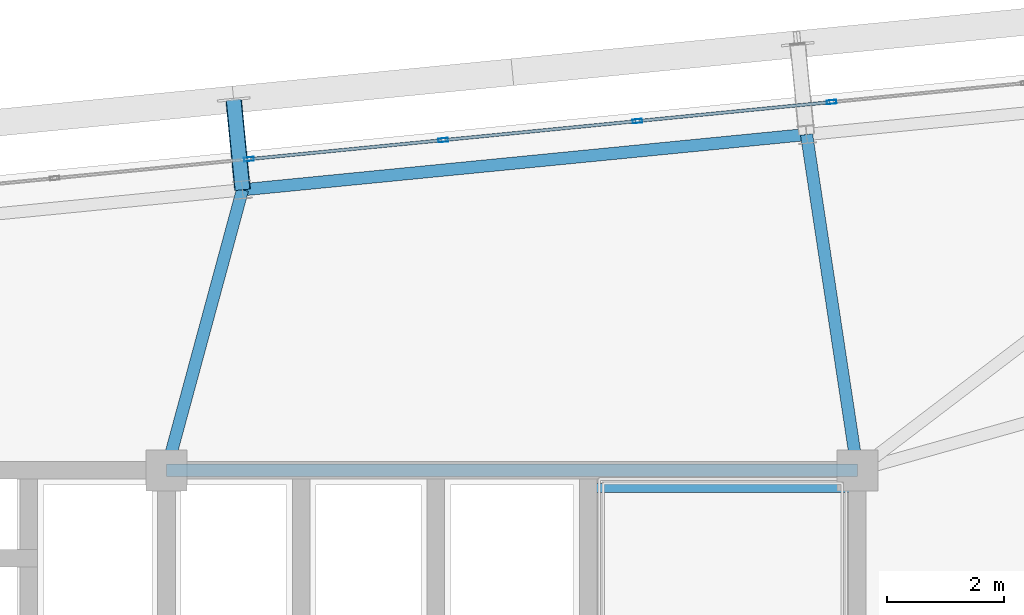
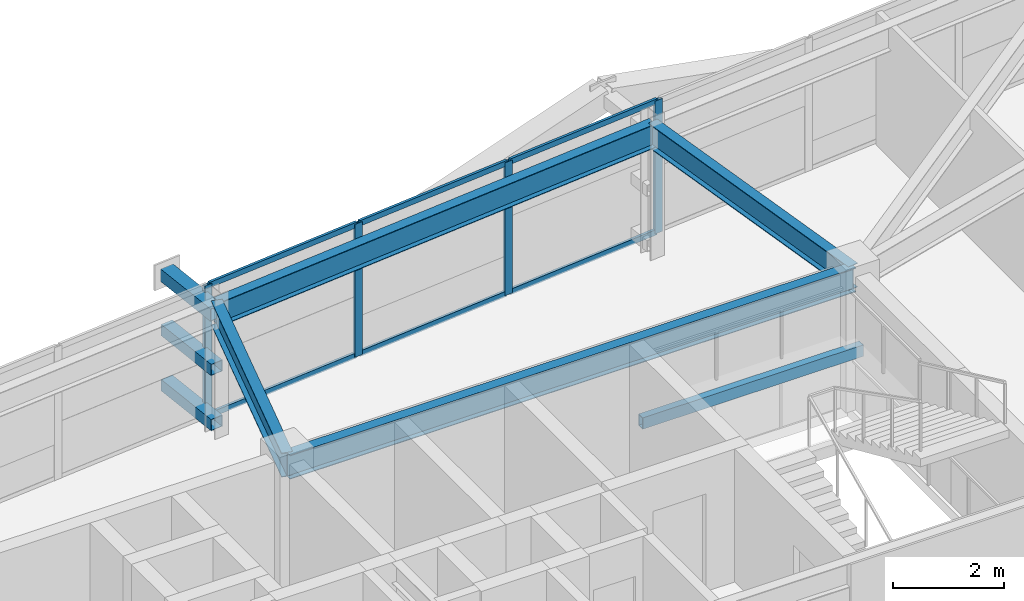
# One storey, part 31 of 53: 13 members, 5 beams, 1 element without a shape of its own.
"""IFC4 building model written with IfcOpenShell, lengths in metres."""

import ifcopenshell
import ifcopenshell.guid

model = None  # the IFC model being written
_history = None  # IfcOwnerHistory: only IFC2X3 demands one
_inside = {}  # id of a spatial element -> (the spatial element, [elements in it])
_under = {}  # id of a project, library or spatial element -> (it, [spatial elements below it])
_declared = {}  # id of a project -> (the project, [libraries it declares])
_typed = {}  # id of a type object -> (the type object, [elements of that type])
_made_of = {}  # id of a material, layer set ... -> (it, [elements and type objects made of it])


def new_model(schema):
    """Start an empty IFC model of exactly this schema.

    Asked for "IFC4X3", IfcOpenShell would pick the latest addendum, in which some entities
    have other attributes; the version numbers below select the first issue.
    IFC2X3 requires an IfcOwnerHistory on every rooted entity: one is made here for all.
    """
    global model, _history
    if schema == "IFC4X3":
        model = ifcopenshell.file(schema_version=(4, 3, 0, 0))
    else:
        model = ifcopenshell.file(schema=schema)
    _inside.clear()
    _under.clear()
    _declared.clear()
    _typed.clear()
    _made_of.clear()
    _history = None
    if model.schema == "IFC2X3":
        org = make("IfcOrganization", Name="unknown")
        user = make(
            "IfcPersonAndOrganization",
            ThePerson=make("IfcPerson", FamilyName="unknown"),
            TheOrganization=org,
        )
        app = make(
            "IfcApplication",
            ApplicationDeveloper=org,
            Version="unknown",
            ApplicationFullName="unknown",
            ApplicationIdentifier="unknown",
        )
        _history = make(
            "IfcOwnerHistory",
            OwningUser=user,
            OwningApplication=app,
            ChangeAction="ADDED",
            CreationDate=0,
        )
    return model


def make(cls, **values):
    """One entity of the class cls with the attributes given. An attribute that is None is left unset."""
    return model.create_entity(
        cls, **{name: value for name, value in values.items() if value is not None}
    )


def rooted(cls, **values):
    """An entity with a GlobalId (a new one), such as an element, a storey or a relation."""
    return make(cls, GlobalId=ifcopenshell.guid.new(), OwnerHistory=_history, **values)


def si_unit(unit_type, name, prefix=None):
    """IfcSIUnit, for example si_unit("LENGTHUNIT", "METRE", prefix="MILLI")."""
    return make("IfcSIUnit", UnitType=unit_type, Prefix=prefix, Name=name)


def assignment(units):
    """IfcUnitAssignment: the units of a project."""
    return None if units is None else make("IfcUnitAssignment", Units=units)


def point(xyz):
    """IfcCartesianPoint."""
    return None if xyz is None else make("IfcCartesianPoint", Coordinates=xyz)


def direction(xyz):
    """IfcDirection."""
    return None if xyz is None else make("IfcDirection", DirectionRatios=xyz)


def frame(location, z_axis=None, x_axis=None):
    """IfcAxis2Placement3D, a coordinate frame: its origin and axes. An axis left out is left unset."""
    return make(
        "IfcAxis2Placement3D",
        Location=point(location),
        Axis=direction(z_axis),
        RefDirection=direction(x_axis),
    )


def frame_2d(location, x_axis=None):
    """IfcAxis2Placement2D, a coordinate frame in the plane: its origin and x axis."""
    return make(
        "IfcAxis2Placement2D", Location=point(location), RefDirection=direction(x_axis)
    )


def origin():
    """The frame at (0, 0, 0) with its axes left unset."""
    return frame((0.0, 0.0, 0.0))


def origin_2d():
    """The frame at (0, 0) in the plane with its x axis left unset."""
    return frame_2d((0.0, 0.0))


def place(relative_to, where):
    """IfcLocalPlacement: puts the frame where relative to a parent placement (None: the world)."""
    return make(
        "IfcLocalPlacement", PlacementRelTo=relative_to, RelativePlacement=where
    )


def context(
    kind, dimensions, precision=None, world=None, true_north=None, identifier=None
):
    """IfcGeometricRepresentationContext, for example the 3D "Model" context."""
    return make(
        "IfcGeometricRepresentationContext",
        ContextIdentifier=identifier,
        ContextType=kind,
        CoordinateSpaceDimension=dimensions,
        Precision=precision,
        WorldCoordinateSystem=world,
        TrueNorth=true_north,
    )


def subcontext(parent, identifier, kind, view, scale=None):
    """IfcGeometricRepresentationSubContext, for example "Body" below "Model"."""
    return make(
        "IfcGeometricRepresentationSubContext",
        ContextIdentifier=identifier,
        ContextType=kind,
        ParentContext=parent,
        TargetScale=scale,
        TargetView=view,
    )


def project(units=None, contexts=None):
    """IfcProject with its units and contexts."""
    return rooted(
        "IfcProject",
        Name="project",
        RepresentationContexts=contexts,
        UnitsInContext=assignment(units),
    )


def spatial(cls, under=None, at=None, **own):
    """A site, building, storey or space (cls), placed at a placement, below another one or the project."""
    s = rooted(cls, ObjectPlacement=at, **own)
    if under is not None:
        _under.setdefault(under.id(), (under, []))[1].append(s)
    return s


def profile(cls, at=None, kind="AREA", **sizes):
    """A parametric profile (cls). Its sizes go by their IFC names, for example OverallWidth=200.0."""
    return make(cls, ProfileType=kind, Position=at, **sizes)


def hollow_rectangle(**sizes):
    """IfcRectangleHollowProfileDef."""
    return profile("IfcRectangleHollowProfileDef", **sizes)


def i_section(**sizes):
    """IfcIShapeProfileDef."""
    return profile("IfcIShapeProfileDef", **sizes)


def extrude(swept, where, along, depth):
    """IfcExtrudedAreaSolid: the profile swept, set in the frame where, extruded along a direction by depth."""
    return make(
        "IfcExtrudedAreaSolid",
        SweptArea=swept,
        Position=where,
        ExtrudedDirection=direction(along),
        Depth=depth,
    )


def shape(context_of_items, identifier, shape_type, items):
    """IfcShapeRepresentation: the items that make up one representation, for example the "Body"."""
    return make(
        "IfcShapeRepresentation",
        ContextOfItems=context_of_items,
        RepresentationIdentifier=identifier,
        RepresentationType=shape_type,
        Items=items,
    )


def source(mapping_origin, context_of_items, identifier, shape_type, items):
    """IfcRepresentationMap: a shape defined once, which mapped items show again and again."""
    return make(
        "IfcRepresentationMap",
        MappingOrigin=mapping_origin,
        MappedRepresentation=shape(context_of_items, identifier, shape_type, items),
    )


def transform(
    local_origin,
    x_axis=None,
    y_axis=None,
    z_axis=None,
    scale=None,
    scale2=None,
    scale3=None,
    uniform=True,
):
    """IfcCartesianTransformationOperator3D, or its non-uniform kind. x_axis, y_axis, z_axis: its Axis1, 2, 3."""
    if uniform:
        return make(
            "IfcCartesianTransformationOperator3D",
            Axis1=direction(x_axis),
            Axis2=direction(y_axis),
            LocalOrigin=point(local_origin),
            Scale=scale,
            Axis3=direction(z_axis),
        )
    return make(
        "IfcCartesianTransformationOperator3DnonUniform",
        Axis1=direction(x_axis),
        Axis2=direction(y_axis),
        LocalOrigin=point(local_origin),
        Scale=scale,
        Axis3=direction(z_axis),
        Scale2=scale2,
        Scale3=scale3,
    )


def mapped(mapping_source, mapping_target):
    """IfcMappedItem: shows the shape of a source again, moved by a transform."""
    return make(
        "IfcMappedItem", MappingSource=mapping_source, MappingTarget=mapping_target
    )


def material(Name=None, Category=None):
    """IfcMaterial."""
    return make("IfcMaterial", Name=Name, Category=Category)


def layer(
    of_material, thickness, ventilated=None, Name=None, Category=None, Priority=None
):
    """IfcMaterialLayer: one layer of a wall or slab, of a material (None: an air gap)."""
    return make(
        "IfcMaterialLayer",
        Material=of_material,
        LayerThickness=thickness,
        IsVentilated=ventilated,
        Name=Name,
        Category=Category,
        Priority=Priority,
    )


def layer_set(layers, Name=None):
    """IfcMaterialLayerSet."""
    return make("IfcMaterialLayerSet", MaterialLayers=layers, LayerSetName=Name)


def material_profile(
    of_material, cross_section, Name=None, Category=None, Priority=None
):
    """IfcMaterialProfile: a cross section and its material."""
    return make(
        "IfcMaterialProfile",
        Name=Name,
        Material=of_material,
        Profile=cross_section,
        Priority=Priority,
        Category=Category,
    )


def profile_set(profiles, Name=None, composite=None):
    """IfcMaterialProfileSet."""
    return make(
        "IfcMaterialProfileSet",
        Name=Name,
        MaterialProfiles=profiles,
        CompositeProfile=composite,
    )


def made_of(thing, what):
    """Note that an element or type object is made of a material, layer set ...; save() writes the relation."""
    if what is not None:
        _made_of.setdefault(what.id(), (what, []))[1].append(thing)
    return thing


def type_object(cls, material=None, **own):
    """A type object (cls), such as IfcWallType, which elements share."""
    return made_of(rooted(cls, **own), material)


def element(
    cls,
    number,
    at=None,
    inside=None,
    cuts=None,
    type_object=None,
    material=None,
    context=None,
    identifier="Body",
    shape_type=None,
    held_by="IfcProductDefinitionShape",
    body=None,
    shapes=None,
    **own,
):
    """One element of the class cls, such as IfcWall. Its Tag is "e" and its number.

    at: its placement. inside: the storey or other place that contains it. cuts: it is an
    opening in that element (IfcRelVoidsElement). A single representation is given by context,
    identifier, shape_type and body (its items); several are given by shapes. held_by: the class
    of the entity that holds the representations. save() writes the other relations.
    """
    e = rooted(cls, Tag="e%d" % number, ObjectPlacement=at, **own)
    if body is not None:
        shapes = [shape(context, identifier, shape_type, body)]
    if shapes is not None:
        e.Representation = make(held_by, Representations=shapes)
    if inside is not None:
        _inside.setdefault(inside.id(), (inside, []))[1].append(e)
    if cuts is not None:
        rooted(
            "IfcRelVoidsElement", RelatingBuildingElement=cuts, RelatedOpeningElement=e
        )
    if type_object is not None:
        _typed.setdefault(type_object.id(), (type_object, []))[1].append(e)
    return made_of(e, material)


def aggregate(whole, parts):
    """IfcRelAggregates: a whole, such as a stair, and the parts it consists of."""
    return rooted("IfcRelAggregates", RelatingObject=whole, RelatedObjects=parts)


def save(model, path):
    """Write the relations noted so far, then the file.

    IfcRelAggregates (storeys below a building ...), IfcRelContainedInSpatialStructure (elements
    in a storey), IfcRelDefinesByType, IfcRelAssociatesMaterial and IfcRelDeclares: one each for
    every whole, place, type object, material and project.
    """
    for whole, parts in _under.values():
        aggregate(whole, parts)
    for where, things in _inside.values():
        rooted(
            "IfcRelContainedInSpatialStructure",
            RelatedElements=things,
            RelatingStructure=where,
        )
    for kind, things in _typed.values():
        rooted("IfcRelDefinesByType", RelatedObjects=things, RelatingType=kind)
    for what, things in _made_of.values():
        rooted("IfcRelAssociatesMaterial", RelatedObjects=things, RelatingMaterial=what)
    for by, libraries in _declared.values():
        rooted("IfcRelDeclares", RelatingContext=by, RelatedDefinitions=libraries)
    model.write(path)


model = new_model("IFC4")

# Units and contexts
model_context = context("Model", 3, precision=1e-05, world=origin(), true_north=direction((0.0, 1.0)))
body_context = subcontext(model_context, "Body", "Model", "MODEL_VIEW")
ifc_project = project(units=[si_unit("LENGTHUNIT", "METRE"), si_unit("AREAUNIT", "SQUARE_METRE"), si_unit("VOLUMEUNIT", "CUBIC_METRE"), si_unit("PLANEANGLEUNIT", "RADIAN"), si_unit("MASSUNIT", "GRAM", prefix="KILO")], contexts=[model_context])

# Site, building, storey
site_placement = place(None, origin())
site = spatial("IfcSite", under=ifc_project, at=site_placement, CompositionType="ELEMENT")
building_placement = place(site_placement, origin())
building = spatial("IfcBuilding", under=site, at=building_placement, Name="Taldren Reach Tower", CompositionType="ELEMENT")
storey_placement = place(building_placement, frame((0.0, 0.0, 84.0)))
storey = spatial("IfcBuildingStorey", under=building, at=storey_placement, Name="L25", CompositionType="ELEMENT", Elevation=84.0)

# Beam
ifc_material_1 = material(Name="Steel Gr 350 (350PLUS)", Category="steel")
ifc_material_profile_1 = material_profile(ifc_material_1, i_section(OverallWidth=0.208984375, OverallDepth=0.532958984375, WebThickness=0.01025390625, FlangeThickness=0.015625, at=origin_2d()), Name="530UB92.4")
ifc_profile_set_1 = profile_set([ifc_material_profile_1], Name="Steel Gr 350 (350PLUS)")
beam_type_1 = type_object("IfcBeamType", Name="BM-UB530A", PredefinedType="BEAM", material=ifc_profile_set_1)
shared_shape_1 = source(origin(), body_context, "Body", "SweptSolid", [
    extrude(i_section(OverallWidth=0.208984375, OverallDepth=0.532958984375, WebThickness=0.01025390625, FlangeThickness=0.015625, at=origin_2d()), origin(), (0.0, 0.0, 1.0), 11.800048828125),
])
beam_1_placement = place(storey_placement, frame((39.199951171875, 32.0, 2.66357421875), z_axis=(1.0, 0.0, 0.0), x_axis=(0.0, 1.0, 0.0)))
element("IfcBeam", 1, at=beam_1_placement, inside=storey, type_object=beam_type_1, Name="Core-spine girder L25-SP06", PredefinedType="BEAM", context=body_context, shape_type="MappedRepresentation", body=[
    mapped(shared_shape_1, transform((0.0, 0.0, 0.0), scale=1.0)),
])

# Members
ifc_material_2 = material(Name="Steel Gr 450 (C450L0)", Category="steel")
ifc_material_profile_2 = material_profile(ifc_material_2, hollow_rectangle(XDim=0.27490234375, YDim=0.27490234375, WallThickness=0.00927734375, at=origin_2d()), Name="275x275x9.3SHS")
ifc_profile_set_2 = profile_set([ifc_material_profile_2], Name="Steel Gr 450 (C450L0)")
member_type_1 = type_object("IfcMemberType", Name="MB-TIE273", PredefinedType="STRUT", material=ifc_profile_set_2)
shared_shape_2 = source(origin(), body_context, "Body", "SweptSolid", [
    extrude(hollow_rectangle(XDim=0.27490234375, YDim=0.27490234375, WallThickness=0.00927734375, at=origin_2d()), origin(), (0.0, 0.0, 1.0), 1.5498046875),
])
member_1_placement = place(storey_placement, frame((40.498291015625, 36.790771484375, 2.64990234375), z_axis=(-0.097663201064, 0.995219523099, 0.0), x_axis=(-0.995219523099, -0.097663201064, 0.0)))
element("IfcMember", 2, at=member_1_placement, inside=storey, type_object=member_type_1, Name="Exoskeleton diaphragm tie strut B2-N4 L25", PredefinedType="STRUT", context=body_context, shape_type="MappedRepresentation", body=[
    mapped(shared_shape_2, transform((0.0, 0.0, 0.0), scale=1.0)),
])
ifc_material_3 = material(Name="Steel Gr 350 (C350L0)", Category="steel")
ifc_material_profile_3 = material_profile(ifc_material_3, hollow_rectangle(XDim=0.25, YDim=0.25, WallThickness=0.010009765625, at=origin_2d()), Name="250x250x10.0SHS")
ifc_profile_set_3 = profile_set([ifc_material_profile_3], Name="Steel Gr 350 (C350L0)")
member_type_2 = type_object("IfcMemberType", Name="MB-POST250", PredefinedType="POST", material=ifc_profile_set_3)
shared_shape_3 = source(origin(), body_context, "Body", "SweptSolid", [
    extrude(hollow_rectangle(XDim=0.25, YDim=0.25, WallThickness=0.010009765625, at=origin_2d()), origin(), (0.0, 0.0, 1.0), 1.5498046875),
])
for number, where, z_axis, x_axis, name in (
    (3, (40.498291015625, 36.790771484375, 0.219970703125), (-0.097663201064, 0.995219523099, 0.0), (-0.995219523099, -0.097663201064, 0.0), "Exoskeleton base diaphragm tie strut B2-N4 L25"),
    (4, (40.498291015625, 36.790771484375, 1.43505859375), (-0.097663201064, 0.995219523099, 0.0), (-0.995219523099, -0.097663201064, 0.0), "Exoskeleton mid-tier diaphragm tie B2-N4 L25"),
):
    element("IfcMember", number, at=place(storey_placement, frame(where, z_axis=z_axis, x_axis=x_axis)), inside=storey, type_object=member_type_2, Name=name, PredefinedType="POST", context=body_context, shape_type="MappedRepresentation", body=[
        mapped(shared_shape_3, transform((0.0, 0.0, 0.0), scale=1.0)),
    ])

# Beams
ifc_material_profile_4 = material_profile(ifc_material_1, i_section(OverallWidth=0.208984375, OverallDepth=0.528076171875, WebThickness=0.009521484375, FlangeThickness=0.01318359375, at=origin_2d()), Name="530UB82.0")
ifc_profile_set_4 = profile_set([ifc_material_profile_4], Name="Steel Gr 350 (350PLUS)")
beam_type_2 = type_object("IfcBeamType", Name="SP-UB530B", PredefinedType="SPANDREL", material=ifc_profile_set_4)
shared_shape_4 = source(origin(), body_context, "Body", "SweptSolid", [
    extrude(i_section(OverallWidth=0.208984375, OverallDepth=0.528076171875, WebThickness=0.009521484375, FlangeThickness=0.01318359375, at=origin_2d()), origin(), (0.0, 0.0, 1.0), 9.679931640625),
])
beam_2_placement = place(storey_placement, frame((50.132080078125, 37.7353515625, 2.666015625), z_axis=(-0.995227612658, -0.097580730699, 0.0), x_axis=(0.097580730699, -0.995227612658, 0.0)))
element("IfcBeam", 5, at=beam_2_placement, inside=storey, type_object=beam_type_2, Name="Perimeter spandrel B2 N5-N4 L25", PredefinedType="SPANDREL", context=body_context, shape_type="MappedRepresentation", body=[
    mapped(shared_shape_4, transform((0.0, 0.0, 0.0), scale=1.0)),
])
shared_shape_5 = source(origin(), body_context, "Body", "SweptSolid", [
    extrude(i_section(OverallWidth=0.208984375, OverallDepth=0.532958984375, WebThickness=0.01025390625, FlangeThickness=0.015625, at=origin_2d()), origin(), (0.0, 0.0, 1.0), 5.800537109375),
])
beam_3_placement = place(storey_placement, frame((51.0, 32.0, 2.66357421875), z_axis=(-0.149624592867, 0.988742879221, 0.0), x_axis=(-0.988742879221, -0.149624592867, 0.0)))
element("IfcBeam", 6, at=beam_3_placement, inside=storey, type_object=beam_type_1, Name="Primary floor girder B2-N5 L25", PredefinedType="BEAM", context=body_context, shape_type="MappedRepresentation", body=[
    mapped(shared_shape_5, transform((0.0, 0.0, 0.0), scale=1.0)),
])
shared_shape_6 = source(origin(), body_context, "Body", "SweptSolid", [
    extrude(i_section(OverallWidth=0.208984375, OverallDepth=0.532958984375, WebThickness=0.01025390625, FlangeThickness=0.015625, at=origin_2d()), origin(), (0.0, 0.0, 1.0), 4.963623046875),
])
beam_4_placement = place(storey_placement, frame((39.199951171875, 32.0, 2.66357421875), z_axis=(0.261572995851, 0.965183696423, 0.0), x_axis=(-0.965183696423, 0.261572995851, 0.0)))
element("IfcBeam", 7, at=beam_4_placement, inside=storey, type_object=beam_type_1, Name="Primary floor girder B2-N4 L25", PredefinedType="BEAM", context=body_context, shape_type="MappedRepresentation", body=[
    mapped(shared_shape_6, transform((0.0, 0.0, 0.0), scale=1.0)),
])

# Curtain wall, members
ifc_material_4 = material(Name="Aluminium and Low-E Glass Unitised System", Category="aluminium")
ifc_layer = layer(ifc_material_4, 0.159912109375)
ifc_layer_set = layer_set([ifc_layer], Name="Aluminium and Low-E Glass Unitised System")
curtain_wall_type = type_object("IfcCurtainWallType", Name="CW-SYS-3", PredefinedType="NOTDEFINED", material=ifc_layer_set)
curtain_wall_placement = place(storey_placement, origin())
curtain_wall = element("IfcCurtainWall", 8, at=curtain_wall_placement, inside=storey, type_object=curtain_wall_type, Name="Unitised curtain wall CW-L25-N", PredefinedType="NOTDEFINED")
ifc_material_5 = material(Name="Anodised Aluminium 6063-T6", Category="aluminium")
ifc_material_profile_5 = material_profile(ifc_material_5, hollow_rectangle(XDim=0.06494140625, YDim=0.1650390625, WallThickness=0.00390625, at=origin_2d()), Name="ALU-165x65x4RHS")
ifc_profile_set_5 = profile_set([ifc_material_profile_5], Name="Anodised Aluminium 6063-T6")
member_type_3 = type_object("IfcMemberType", Name="CW-MUL-165", PredefinedType="MULLION", material=ifc_profile_set_5)
shared_shape_7 = source(origin(), body_context, "Body", "SweptSolid", [
    extrude(hollow_rectangle(XDim=0.06494140625, YDim=0.1650390625, WallThickness=0.00390625, at=origin_2d()), origin(), (0.0, 0.0, 1.0), 2.929931640625),
])
member_2_placement = place(storey_placement, frame((50.56005859375, 38.289794921875, 0.0), z_axis=(0.0, 0.0, 1.0), x_axis=(0.097582999046, -0.995227390247, 0.0)))
member_2 = element("IfcMember", 9, at=member_2_placement, type_object=member_type_3, Name="CW-3 mullion 4", PredefinedType="MULLION", context=body_context, shape_type="MappedRepresentation", body=[
    mapped(shared_shape_7, transform((0.0, 0.0, 0.0), scale=1.0)),
])
member_3_placement = place(storey_placement, frame((47.242431640625, 37.96435546875, 0.0), z_axis=(0.0, 0.0, 1.0), x_axis=(0.097582999046, -0.995227390247, 0.0)))
member_3 = element("IfcMember", 10, at=member_3_placement, type_object=member_type_3, Name="CW-3 mullion 5", PredefinedType="MULLION", context=body_context, shape_type="MappedRepresentation", body=[
    mapped(shared_shape_7, transform((0.0, 0.0, 0.0), scale=1.0)),
])
member_4_placement = place(storey_placement, frame((43.925048828125, 37.63916015625, 0.0), z_axis=(0.0, 0.0, 1.0), x_axis=(0.097582999046, -0.995227390247, 0.0)))
member_4 = element("IfcMember", 11, at=member_4_placement, type_object=member_type_3, Name="CW-3 mullion 6", PredefinedType="MULLION", context=body_context, shape_type="MappedRepresentation", body=[
    mapped(shared_shape_7, transform((0.0, 0.0, 0.0), scale=1.0)),
])
member_5_placement = place(storey_placement, frame((40.607666015625, 37.31396484375, 0.0), z_axis=(0.0, 0.0, 1.0), x_axis=(0.097582999046, -0.995227390247, 0.0)))
member_5 = element("IfcMember", 12, at=member_5_placement, type_object=member_type_3, Name="CW-3 mullion 7", PredefinedType="MULLION", context=body_context, shape_type="MappedRepresentation", body=[
    mapped(shared_shape_7, transform((0.0, 0.0, 0.0), scale=1.0)),
])
ifc_material_profile_6 = material_profile(ifc_material_5, hollow_rectangle(XDim=0.054931640625, YDim=0.1201171875, WallThickness=0.0029296875, at=origin_2d()), Name="ALU-120x55x3RHS")
ifc_profile_set_6 = profile_set([ifc_material_profile_6], Name="Anodised Aluminium 6063-T6")
member_type_4 = type_object("IfcMemberType", Name="CW-TRN-135", PredefinedType="USERDEFINED", material=ifc_profile_set_6)
shared_shape_8 = source(origin(), body_context, "Body", "SweptSolid", [
    extrude(hollow_rectangle(XDim=0.054931640625, YDim=0.1201171875, WallThickness=0.0029296875, at=origin_2d()), origin(), (0.0, 0.0, 1.0), 3.268310546875),
])
member_6_placement = place(storey_placement, frame((50.527587890625, 38.28662109375, 0.027587890625), z_axis=(-0.995222549564, -0.097632355496, 0.0), x_axis=(0.097632355496, -0.995222549564, 0.0)))
member_6 = element("IfcMember", 13, at=member_6_placement, type_object=member_type_4, Name="CW-3 transom 4.1", ObjectType="TRANSOM", PredefinedType="USERDEFINED", context=body_context, shape_type="MappedRepresentation", body=[
    mapped(shared_shape_8, transform((0.0, 0.0, 0.0), scale=1.0)),
])
member_7_placement = place(storey_placement, frame((50.527587890625, 38.28662109375, 2.902587890625), z_axis=(-0.995222549564, -0.097632355496, 0.0), x_axis=(0.097632355496, -0.995222549564, 0.0)))
member_7 = element("IfcMember", 14, at=member_7_placement, type_object=member_type_4, Name="CW-3 transom 4.2", ObjectType="TRANSOM", PredefinedType="USERDEFINED", context=body_context, shape_type="MappedRepresentation", body=[
    mapped(shared_shape_8, transform((0.0, 0.0, 0.0), scale=1.0)),
])
member_8_placement = place(storey_placement, frame((47.210205078125, 37.961181640625, 0.027587890625), z_axis=(-0.99522980512, -0.097558367146, 0.0), x_axis=(0.097558367146, -0.99522980512, 0.0)))
member_8 = element("IfcMember", 15, at=member_8_placement, type_object=member_type_4, Name="CW-3 transom 5.1", ObjectType="TRANSOM", PredefinedType="USERDEFINED", context=body_context, shape_type="MappedRepresentation", body=[
    mapped(shared_shape_8, transform((0.0, 0.0, 0.0), scale=1.0)),
])
member_9_placement = place(storey_placement, frame((47.210205078125, 37.961181640625, 2.902587890625), z_axis=(-0.99522980512, -0.097558367146, 0.0), x_axis=(0.097558367146, -0.99522980512, 0.0)))
member_9 = element("IfcMember", 16, at=member_9_placement, type_object=member_type_4, Name="CW-3 transom 5.2", ObjectType="TRANSOM", PredefinedType="USERDEFINED", context=body_context, shape_type="MappedRepresentation", body=[
    mapped(shared_shape_8, transform((0.0, 0.0, 0.0), scale=1.0)),
])
member_10_placement = place(storey_placement, frame((43.892822265625, 37.635986328125, 0.027587890625), z_axis=(-0.99522980512, -0.097558367146, 0.0), x_axis=(0.097558367146, -0.99522980512, 0.0)))
member_10 = element("IfcMember", 17, at=member_10_placement, type_object=member_type_4, Name="CW-3 transom 6.1", ObjectType="TRANSOM", PredefinedType="USERDEFINED", context=body_context, shape_type="MappedRepresentation", body=[
    mapped(shared_shape_8, transform((0.0, 0.0, 0.0), scale=1.0)),
])
member_11_placement = place(storey_placement, frame((43.892822265625, 37.635986328125, 2.902587890625), z_axis=(-0.99522980512, -0.097558367146, 0.0), x_axis=(0.097558367146, -0.99522980512, 0.0)))
member_11 = element("IfcMember", 18, at=member_11_placement, type_object=member_type_4, Name="CW-3 transom 6.2", ObjectType="TRANSOM", PredefinedType="USERDEFINED", context=body_context, shape_type="MappedRepresentation", body=[
    mapped(shared_shape_8, transform((0.0, 0.0, 0.0), scale=1.0)),
])
aggregate(curtain_wall, [member_2, member_3, member_4, member_5, member_6, member_7, member_8, member_9, member_10, member_11])

# Beam
ifc_material_profile_7 = material_profile(ifc_material_3, hollow_rectangle(XDim=0.14990234375, YDim=0.25, WallThickness=0.009033203125, at=origin_2d()), Name="250x150x9.0RHS")
ifc_profile_set_7 = profile_set([ifc_material_profile_7], Name="Steel Gr 350 (C350L0)")
beam_type_3 = type_object("IfcBeamType", Name="LN-RHS250", PredefinedType="LINTEL", material=ifc_profile_set_7)
shared_shape_9 = source(origin(), body_context, "Body", "SweptSolid", [
    extrude(hollow_rectangle(XDim=0.14990234375, YDim=0.25, WallThickness=0.009033203125, at=origin_2d()), origin(), (0.0, 0.0, 1.0), 4.60009765625),
])
beam_5_placement = place(storey_placement, frame((46.39990234375, 31.699951171875, 1.27001953125), z_axis=(1.0, 0.0, 0.0), x_axis=(0.0, 1.0, 0.0)))
element("IfcBeam", 19, at=beam_5_placement, inside=storey, type_object=beam_type_3, Name="Stair half-landing support beam ST2-L25-2", PredefinedType="LINTEL", context=body_context, shape_type="MappedRepresentation", body=[
    mapped(shared_shape_9, transform((0.0, 0.0, 0.0), scale=1.0)),
])

save(model, "model.ifc")
